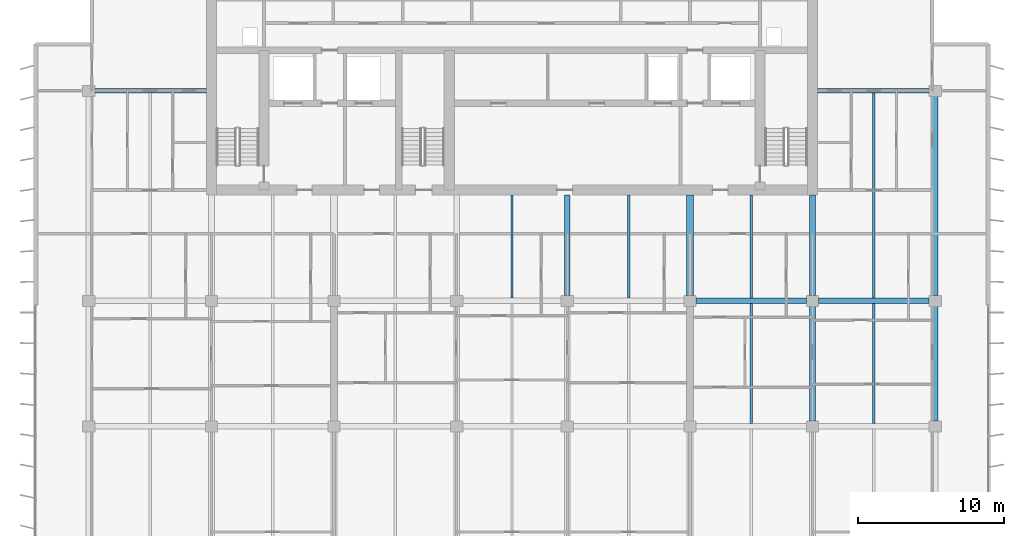
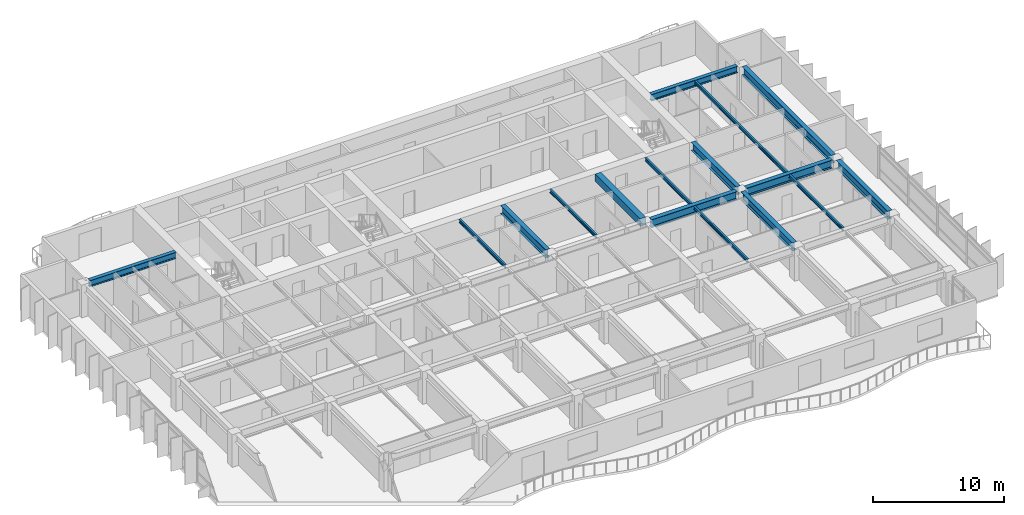
# One storey, part 4 of 16: 16 beams.
"""IFC4 building model written with IfcOpenShell, lengths in metres."""

from ifc_helpers import new_model, si_unit, direction, frame, origin, origin_2d, place, context, subcontext, project, spatial, rectangle, i_section, extrude, material, material_profile, profile_set, type_object, element, save


model = new_model("IFC4")

# Units and contexts
model_context = context("Model", 3, precision=1e-05, world=origin(), true_north=direction((0.0, 1.0)))
body_context = subcontext(model_context, "Body", "Model", "MODEL_VIEW")
ifc_project = project(units=[si_unit("LENGTHUNIT", "METRE"), si_unit("AREAUNIT", "SQUARE_METRE"), si_unit("VOLUMEUNIT", "CUBIC_METRE"), si_unit("PLANEANGLEUNIT", "RADIAN"), si_unit("MASSUNIT", "GRAM", prefix="KILO")], contexts=[model_context])

# Site, building, storey
site_placement = place(None, origin())
site = spatial("IfcSite", under=ifc_project, at=site_placement, CompositionType="ELEMENT")
building_placement = place(site_placement, origin())
building = spatial("IfcBuilding", under=site, at=building_placement, Name="Caelmar Bay Residences", CompositionType="ELEMENT")
storey_placement = place(building_placement, frame((0.0, 0.0, 211.5)))
storey = spatial("IfcBuildingStorey", under=building, at=storey_placement, Name="L59", CompositionType="ELEMENT", Elevation=211.5)

# Beams
ifc_material_1 = material(Name="Steel ASTM A992 Grade 50", Category="steel")
ifc_material_profile_1 = material_profile(ifc_material_1, i_section(OverallWidth=0.381103515625, OverallDepth=0.77197265625, WebThickness=0.0166015625, FlangeThickness=0.027099609375, FilletRadius=0.0166015625, at=origin_2d()), Name="W30X173")
ifc_profile_set_1 = profile_set([ifc_material_profile_1], Name="Steel ASTM A992 Grade 50")
beam_type_1 = type_object("IfcBeamType", Name="BM-GRD-W30X173", PredefinedType="BEAM", material=ifc_profile_set_1)
for number, where, z_axis, x_axis, name in (
    (1, (51.514892578125, 29.39990234375, 2.6640625), (1.0, 0.0, 0.0), (0.0, 1.0, 0.0), "L59 East-West Girder Y=29.40 (51.1-59.5)"),
    (2, (59.9150390625, 29.39990234375, 2.6640625), (1.0, 0.0, 0.0), (0.0, 1.0, 0.0), "L59 East-West Girder Y=29.40 (59.5-67.9)"),
):
    element("IfcBeam", number, at=place(storey_placement, frame(where, z_axis=z_axis, x_axis=x_axis)), inside=storey, type_object=beam_type_1, Name=name, PredefinedType="BEAM", context=body_context, shape_type="SweptSolid", body=[
        extrude(i_section(OverallWidth=0.381103515625, OverallDepth=0.77197265625, WebThickness=0.0166015625, FlangeThickness=0.027099609375, FilletRadius=0.0166015625, at=origin_2d()), origin(), (0.0, 0.0, 1.0), 7.570068359375),
    ])
for number, where, z_axis, x_axis, name in (
    (3, (42.699951171875, 29.764892578125, 2.6640625), (0.0, 1.0, 0.0), (-1.0, 0.0, 0.0), "L59 Core Tie Girder X=42.70"),
    (4, (59.5, 29.764892578125, 2.6640625), (0.0, 1.0, 0.0), (-1.0, 0.0, 0.0), "L59 Core Tie Girder X=59.50"),
):
    element("IfcBeam", number, at=place(storey_placement, frame(where, z_axis=z_axis, x_axis=x_axis)), inside=storey, type_object=beam_type_1, Name=name, PredefinedType="BEAM", context=body_context, shape_type="SweptSolid", body=[
        extrude(i_section(OverallWidth=0.381103515625, OverallDepth=0.77197265625, WebThickness=0.0166015625, FlangeThickness=0.027099609375, FilletRadius=0.0166015625, at=origin_2d()), origin(), (0.0, 0.0, 1.0), 6.885009765625),
    ])
for number, where, z_axis, x_axis, name in (
    (5, (59.5, 21.1650390625, 2.6640625), (0.0, 1.0, 0.0), (-1.0, 0.0, 0.0), "L59 North-South Girder X=59.50 (20.8-29.4)"),
    (6, (67.89990234375, 21.1650390625, 2.6640625), (0.0, 1.0, 0.0), (-1.0, 0.0, 0.0), "L59 North-South Girder X=67.90 (20.8-29.4)"),
):
    element("IfcBeam", number, at=place(storey_placement, frame(where, z_axis=z_axis, x_axis=x_axis)), inside=storey, type_object=beam_type_1, Name=name, PredefinedType="BEAM", context=body_context, shape_type="SweptSolid", body=[
        extrude(i_section(OverallWidth=0.381103515625, OverallDepth=0.77197265625, WebThickness=0.0166015625, FlangeThickness=0.027099609375, FilletRadius=0.0166015625, at=origin_2d()), origin(), (0.0, 0.0, 1.0), 7.869873046875),
    ])
beam_1_placement = place(storey_placement, frame((67.89990234375, 29.764892578125, 2.6640625), z_axis=(0.0, 1.0, 0.0), x_axis=(-1.0, 0.0, 0.0)))
element("IfcBeam", 7, at=beam_1_placement, inside=storey, type_object=beam_type_1, Name="L59 North-South Girder X=67.90 (29.4-43.8)", PredefinedType="BEAM", context=body_context, shape_type="SweptSolid", body=[
    extrude(i_section(OverallWidth=0.381103515625, OverallDepth=0.77197265625, WebThickness=0.0166015625, FlangeThickness=0.027099609375, FilletRadius=0.0166015625, at=origin_2d()), origin(), (0.0, 0.0, 1.0), 13.670166015625),
])
ifc_material_profile_2 = material_profile(ifc_material_1, i_section(OverallWidth=0.1650390625, OverallDepth=0.31005859375, WebThickness=0.005859375, FlangeThickness=0.009765625, FilletRadius=0.007568359375, at=origin_2d()), Name="W12X26")
ifc_profile_set_2 = profile_set([ifc_material_profile_2], Name="Steel ASTM A992 Grade 50")
beam_type_2 = type_object("IfcBeamType", Name="BM-JST-W12X26", PredefinedType="JOIST", material=ifc_profile_set_2)
for number, where, z_axis, x_axis, name in (
    (8, (55.300048828125, 20.990478515625, 2.89501953125), (0.0, 1.0, 0.0), (-1.0, 0.0, 0.0), "L59 Composite Floor Joist 13"),
    (9, (63.699951171875, 20.990478515625, 2.89501953125), (0.0, 1.0, 0.0), (-1.0, 0.0, 0.0), "L59 Composite Floor Joist 14"),
):
    element("IfcBeam", number, at=place(storey_placement, frame(where, z_axis=z_axis, x_axis=x_axis)), inside=storey, type_object=beam_type_2, Name=name, PredefinedType="JOIST", context=body_context, shape_type="SweptSolid", body=[
        extrude(i_section(OverallWidth=0.1650390625, OverallDepth=0.31005859375, WebThickness=0.005859375, FlangeThickness=0.009765625, FilletRadius=0.007568359375, at=origin_2d()), origin(), (0.0, 0.0, 1.0), 8.218994140625),
    ])
for number, where, z_axis, x_axis, name in (
    (10, (38.89990234375, 29.590576171875, 2.89501953125), (0.0, 1.0, 0.0), (-1.0, 0.0, 0.0), "L59 Core-Band Composite Joist 17"),
    (11, (46.89990234375, 29.590576171875, 2.89501953125), (0.0, 1.0, 0.0), (-1.0, 0.0, 0.0), "L59 Core-Band Composite Joist 18"),
    (12, (55.300048828125, 29.590576171875, 2.89501953125), (0.0, 1.0, 0.0), (-1.0, 0.0, 0.0), "L59 Core-Band Composite Joist 19"),
):
    element("IfcBeam", number, at=place(storey_placement, frame(where, z_axis=z_axis, x_axis=x_axis)), inside=storey, type_object=beam_type_2, Name=name, PredefinedType="JOIST", context=body_context, shape_type="SweptSolid", body=[
        extrude(i_section(OverallWidth=0.1650390625, OverallDepth=0.31005859375, WebThickness=0.005859375, FlangeThickness=0.009765625, FilletRadius=0.007568359375, at=origin_2d()), origin(), (0.0, 0.0, 1.0), 7.059326171875),
    ])
beam_2_placement = place(storey_placement, frame((63.699951171875, 29.590576171875, 2.89501953125), z_axis=(0.0, 1.0, 0.0), x_axis=(-1.0, 0.0, 0.0)))
element("IfcBeam", 13, at=beam_2_placement, inside=storey, type_object=beam_type_2, Name="L59 Composite Floor Joist 21", PredefinedType="JOIST", context=body_context, shape_type="SweptSolid", body=[
    extrude(i_section(OverallWidth=0.1650390625, OverallDepth=0.31005859375, WebThickness=0.005859375, FlangeThickness=0.009765625, FilletRadius=0.007568359375, at=origin_2d()), origin(), (0.0, 0.0, 1.0), 14.046875),
])
ifc_material_2 = material(Name="Concrete f'c 55 MPa (8,000 psi)", Category="concrete")
ifc_material_profile_3 = material_profile(ifc_material_2, rectangle(XDim=0.5, YDim=0.699951171875, at=origin_2d()), Name="RC-BM-500X700")
ifc_profile_set_3 = profile_set([ifc_material_profile_3], Name="Concrete f'c 55 MPa (8,000 psi)")
beam_type_3 = type_object("IfcBeamType", Name="BM-RC-500X700", PredefinedType="LINTEL", material=ifc_profile_set_3)
beam_3_placement = place(storey_placement, frame((51.10009765625, 29.764892578125, 2.699951171875), z_axis=(0.0, 1.0, 0.0), x_axis=(-1.0, 0.0, 0.0)))
element("IfcBeam", 14, at=beam_3_placement, inside=storey, type_object=beam_type_3, Name="L59 Shear-Wall Corridor Coupling Lintel E8", PredefinedType="LINTEL", context=body_context, shape_type="SweptSolid", body=[
    extrude(rectangle(XDim=0.5, YDim=0.699951171875, at=origin_2d()), origin(), (0.0, 0.0, 1.0), 6.885009765625),
])
ifc_material_profile_4 = material_profile(ifc_material_1, i_section(OverallWidth=0.324951171875, OverallDepth=0.616943359375, WebThickness=0.013916015625, FlangeThickness=0.021484375, FilletRadius=0.0126953125, at=origin_2d()), Name="W24X117")
ifc_profile_set_4 = profile_set([ifc_material_profile_4], Name="Steel ASTM A992 Grade 50")
beam_type_4 = type_object("IfcBeamType", Name="BM-SPN-W24X117", PredefinedType="SPANDREL", material=ifc_profile_set_4)
for number, where, z_axis, x_axis, name in (
    (15, (10.31494140625, 43.800048828125, 2.741455078125), (1.0, 0.0, 0.0), (0.0, 1.0, 0.0), "L59 North-West Wing Core Tie Girder"),
    (16, (59.85009765625, 43.800048828125, 2.741455078125), (1.0, 0.0, 0.0), (0.0, 1.0, 0.0), "L59 North-East Wing Core Tie Girder"),
):
    element("IfcBeam", number, at=place(storey_placement, frame(where, z_axis=z_axis, x_axis=x_axis)), inside=storey, type_object=beam_type_4, Name=name, PredefinedType="SPANDREL", context=body_context, shape_type="SweptSolid", body=[
        extrude(i_section(OverallWidth=0.324951171875, OverallDepth=0.616943359375, WebThickness=0.013916015625, FlangeThickness=0.021484375, FilletRadius=0.0126953125, at=origin_2d()), origin(), (0.0, 0.0, 1.0), 7.635009765625),
    ])

save(model, "model.ifc")
